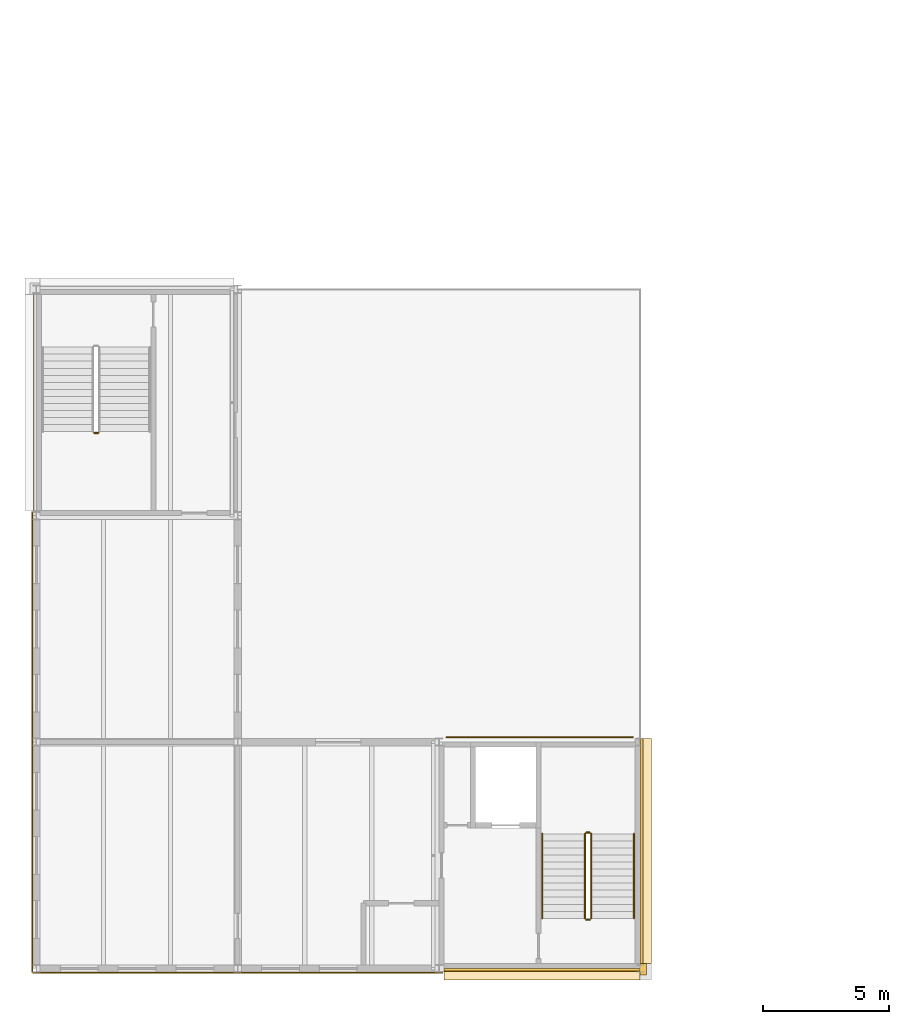
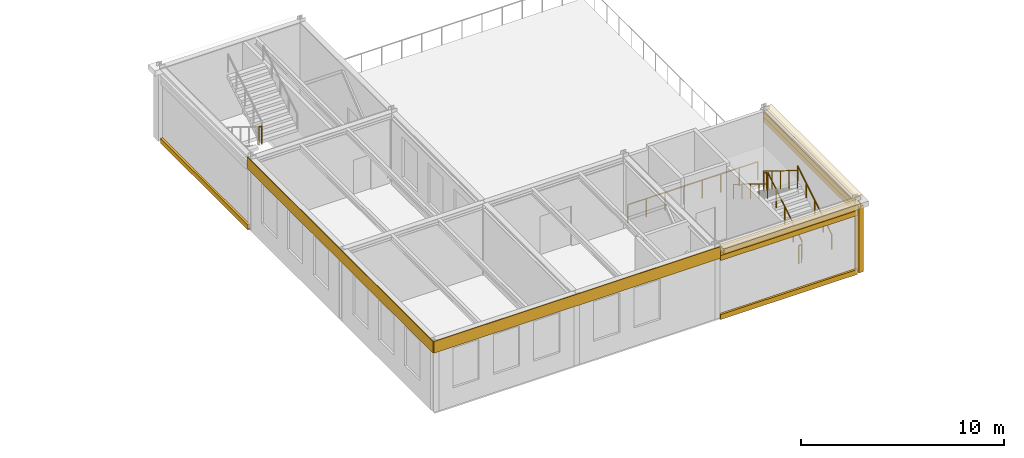
# One storey, part 127 of 149: 11 coverings, 8 railings.
"""IFC4 building model written with IfcOpenShell, lengths in metres."""

from ifc_helpers import new_model, si_unit, direction, frame, origin, origin_2d, place, context, subcontext, project, spatial, rectangle, circle, extrude, material, layer, layer_set, type_object, element, save


model = new_model("IFC4")

# Units and contexts
model_context = context("Model", 3, precision=1e-05, world=origin(), true_north=direction((0.0, 1.0)))
body_context = subcontext(model_context, "Body", "Model", "MODEL_VIEW")
ifc_project = project(units=[si_unit("LENGTHUNIT", "METRE"), si_unit("AREAUNIT", "SQUARE_METRE"), si_unit("VOLUMEUNIT", "CUBIC_METRE"), si_unit("PLANEANGLEUNIT", "RADIAN"), si_unit("MASSUNIT", "GRAM", prefix="KILO")], contexts=[model_context])

# Site, building, storey
site_placement = place(None, origin())
site = spatial("IfcSite", under=ifc_project, at=site_placement, CompositionType="ELEMENT")
building_placement = place(site_placement, origin())
building = spatial("IfcBuilding", under=site, at=building_placement, Name="Kallimachos Central Library", CompositionType="ELEMENT")
storey_placement = place(building_placement, frame((0.0, 0.0, 9.89990234375)))
storey = spatial("IfcBuildingStorey", under=building, at=storey_placement, Name="L02", CompositionType="ELEMENT", Elevation=9.89990234375)

# Coverings
ifc_material_1 = material(Name="Polychrome glazed ceramic tile")
ifc_layer_1 = layer(ifc_material_1, 0.0400390625)
ifc_layer_set_1 = layer_set([ifc_layer_1], Name="Ceramic frieze band")
covering_type_1 = type_object("IfcCoveringType", Name="Ceramic frieze band", PredefinedType="CLADDING", material=ifc_layer_set_1)
covering_1_placement = place(storey_placement, frame((14.0, 8.830078125, 3.60009765625), z_axis=(0.0, 0.0, 1.0), x_axis=(1.0, 0.0, 0.0)))
element("IfcCovering", 1, at=covering_1_placement, inside=storey, type_object=covering_type_1, Name="Frieze south", PredefinedType="CLADDING", context=body_context, shape_type="SweptSolid", body=[
    extrude(rectangle(XDim=16.300048828125, YDim=0.0400390625, at=origin_2d()), origin(), (0.0, 0.0, 1.0), 0.699951171875),
])
covering_2_placement = place(storey_placement, frame((5.830078125, 18.0, 3.60009765625), z_axis=(0.0, 0.0, 1.0), x_axis=(1.0, 0.0, 0.0)))
element("IfcCovering", 2, at=covering_2_placement, inside=storey, type_object=covering_type_1, Name="Frieze west", PredefinedType="CLADDING", context=body_context, shape_type="SweptSolid", body=[
    extrude(rectangle(XDim=0.0400390625, YDim=18.300048828125, at=origin_2d()), origin(), (0.0, 0.0, 1.0), 0.699951171875),
])
ifc_material_2 = material(Name="Glazed ceramic frieze, green")
ifc_layer_2 = layer(ifc_material_2, 0.10009765625)
ifc_layer_set_2 = layer_set([ifc_layer_2], Name="Glazed ceramic frieze, green")
covering_type_2 = type_object("IfcCoveringType", Name="Glazed ceramic frieze, green", PredefinedType="CLADDING", material=ifc_layer_set_2)
covering_3_placement = place(storey_placement, frame((26.094970703125, 8.949951171875, 3.68017578125), z_axis=(0.0, 0.0, 1.0), x_axis=(1.0, 0.0, 0.0)))
element("IfcCovering", 3, at=covering_3_placement, inside=storey, type_object=covering_type_2, Name="Glazed ceramic frieze, green -L02-011", PredefinedType="CLADDING", context=body_context, shape_type="SweptSolid", body=[
    extrude(rectangle(XDim=7.7900390625, YDim=0.10009765625, at=origin_2d()), origin(), (0.0, 0.0, 1.0), 0.300048828125),
])
covering_4_placement = place(storey_placement, frame((30.050048828125, 13.675048828125, 3.68017578125), z_axis=(0.0, 0.0, 1.0), x_axis=(1.0, 0.0, 0.0)))
element("IfcCovering", 4, at=covering_4_placement, inside=storey, type_object=covering_type_2, Name="Glazed ceramic frieze, green -L02-012", PredefinedType="CLADDING", context=body_context, shape_type="SweptSolid", body=[
    extrude(rectangle(XDim=0.10009765625, YDim=8.949951171875, at=origin_2d()), origin(), (0.0, 0.0, 1.0), 0.300048828125),
])
ifc_material_3 = material(Name="Glazed ceramic frieze, ochre")
ifc_layer_3 = layer(ifc_material_3, 0.10009765625)
ifc_layer_set_3 = layer_set([ifc_layer_3], Name="Glazed ceramic frieze, ochre")
covering_type_3 = type_object("IfcCoveringType", Name="Glazed ceramic frieze, ochre", PredefinedType="CLADDING", material=ifc_layer_set_3)
covering_5_placement = place(storey_placement, frame((26.094970703125, 8.949951171875, 3.3798828125), z_axis=(0.0, 0.0, 1.0), x_axis=(1.0, 0.0, 0.0)))
element("IfcCovering", 5, at=covering_5_placement, inside=storey, type_object=covering_type_3, Name="Glazed ceramic frieze, ochre -L02-011", PredefinedType="CLADDING", context=body_context, shape_type="SweptSolid", body=[
    extrude(rectangle(XDim=7.7900390625, YDim=0.10009765625, at=origin_2d()), origin(), (0.0, 0.0, 1.0), 0.300048828125),
])
covering_6_placement = place(storey_placement, frame((30.050048828125, 13.675048828125, 3.3798828125), z_axis=(0.0, 0.0, 1.0), x_axis=(1.0, 0.0, 0.0)))
element("IfcCovering", 6, at=covering_6_placement, inside=storey, type_object=covering_type_3, Name="Glazed ceramic frieze, ochre -L02-012", PredefinedType="CLADDING", context=body_context, shape_type="SweptSolid", body=[
    extrude(rectangle(XDim=0.10009765625, YDim=8.949951171875, at=origin_2d()), origin(), (0.0, 0.0, 1.0), 0.300048828125),
])

# Railings
ifc_material_4 = material(Name="Wrought iron")
railing_type_1 = type_object("IfcRailingType", Name="Stair guard", PredefinedType="GUARDRAIL", material=ifc_material_4)
railing_1_placement = place(storey_placement, frame((28.050048828125, 11.0, 0.173095703125)))
element("IfcRailing", 7, at=railing_1_placement, inside=storey, type_object=railing_type_1, Name="L02 ST17 stair guard 1", PredefinedType="GUARDRAIL", context=body_context, shape_type="SweptSolid", body=[
    extrude(circle(Radius=0.02392578125, at=origin_2d()), frame((0.0, 0.0, 1.076171875), z_axis=(0.0, 0.850623216509, 0.525775754039), x_axis=(-1.0, 0.0, 0.0)), (0.0, 0.0, 1.0), 3.9501953125),
    extrude(circle(Radius=0.02099609375, at=origin_2d()), origin(), (0.0, 0.0, 1.0), 1.052001953125),
    extrude(circle(Radius=0.02099609375, at=origin_2d()), frame((0.0, 0.840087890625, 0.519287109375)), (0.0, 0.0, 1.0), 1.052001953125),
    extrude(circle(Radius=0.02099609375, at=origin_2d()), frame((0.0, 1.68017578125, 1.03857421875)), (0.0, 0.0, 1.0), 1.052001953125),
    extrude(circle(Radius=0.02099609375, at=origin_2d()), frame((0.0, 2.52001953125, 1.5576171875)), (0.0, 0.0, 1.0), 1.052001953125),
    extrude(circle(Radius=0.02099609375, at=origin_2d()), frame((0.0, 3.360107421875, 2.076904296875)), (0.0, 0.0, 1.0), 1.052001953125),
])
railing_2_placement = place(storey_placement, frame((28.0, 14.409912109375, 2.25)))
element("IfcRailing", 8, at=railing_2_placement, inside=storey, type_object=railing_type_1, Name="L02 ST17 stair guard 2", PredefinedType="GUARDRAIL", context=body_context, shape_type="SweptSolid", body=[
    extrude(circle(Radius=0.02392578125, at=origin_2d()), frame((0.0, 0.0, 1.076171875), z_axis=(-1.0, 0.0, 0.0), x_axis=(0.0, -1.0, 0.0)), (0.0, 0.0, 1.0), 0.14990234375),
    extrude(circle(Radius=0.02099609375, at=origin_2d()), origin(), (0.0, 0.0, 1.0), 1.052001953125),
    extrude(circle(Radius=0.02099609375, at=origin_2d()), frame((-0.14990234375, 0.0, 0.0)), (0.0, 0.0, 1.0), 1.052001953125),
])
railing_3_placement = place(storey_placement, frame((27.800048828125, 14.360107421875, 2.423095703125)))
element("IfcRailing", 9, at=railing_3_placement, inside=storey, type_object=railing_type_1, Name="L02 ST17 stair guard 3", PredefinedType="GUARDRAIL", context=body_context, shape_type="SweptSolid", body=[
    extrude(circle(Radius=0.02392578125, at=origin_2d()), frame((0.0, 0.0, 1.076171875), z_axis=(0.0, -0.850623216509, 0.525775754039), x_axis=(1.0, 0.0, 0.0)), (0.0, 0.0, 1.0), 3.9501953125),
    extrude(circle(Radius=0.02099609375, at=origin_2d()), origin(), (0.0, 0.0, 1.0), 1.052001953125),
    extrude(circle(Radius=0.02099609375, at=origin_2d()), frame((0.0, -0.840087890625, 0.519287109375)), (0.0, 0.0, 1.0), 1.052001953125),
    extrude(circle(Radius=0.02099609375, at=origin_2d()), frame((0.0, -1.68017578125, 1.03857421875)), (0.0, 0.0, 1.0), 1.052001953125),
    extrude(circle(Radius=0.02099609375, at=origin_2d()), frame((0.0, -2.52001953125, 1.5576171875)), (0.0, 0.0, 1.0), 1.052001953125),
    extrude(circle(Radius=0.02099609375, at=origin_2d()), frame((0.0, -3.360107421875, 2.076904296875)), (0.0, 0.0, 1.0), 1.052001953125),
])
railing_4_placement = place(storey_placement, frame((28.0, 10.949951171875, 0.0)))
element("IfcRailing", 10, at=railing_4_placement, inside=storey, type_object=railing_type_1, Name="L02 ST17 stair guard 4", PredefinedType="GUARDRAIL", context=body_context, shape_type="SweptSolid", body=[
    extrude(circle(Radius=0.02392578125, at=origin_2d()), frame((0.0, 0.0, 1.076171875), z_axis=(-1.0, 0.0, 0.0), x_axis=(0.0, -1.0, 0.0)), (0.0, 0.0, 1.0), 0.14990234375),
    extrude(circle(Radius=0.02099609375, at=origin_2d()), origin(), (0.0, 0.0, 1.0), 1.052001953125),
    extrude(circle(Radius=0.02099609375, at=origin_2d()), frame((-0.14990234375, 0.0, 0.0)), (0.0, 0.0, 1.0), 1.052001953125),
])
railing_5_placement = place(storey_placement, frame((8.300048828125, 30.2900390625, 2.25)))
element("IfcRailing", 11, at=railing_5_placement, inside=storey, type_object=railing_type_1, Name="L02 ST18 stair guard 2", PredefinedType="GUARDRAIL", context=body_context, shape_type="SweptSolid", body=[
    extrude(circle(Radius=0.02392578125, at=origin_2d()), frame((0.0, 0.0, 1.076171875), z_axis=(1.0, 0.0, 0.0), x_axis=(0.0, 1.0, 0.0)), (0.0, 0.0, 1.0), 0.14990234375),
    extrude(circle(Radius=0.02099609375, at=origin_2d()), origin(), (0.0, 0.0, 1.0), 1.052001953125),
    extrude(circle(Radius=0.02099609375, at=origin_2d()), frame((0.14990234375, 0.0, 0.0)), (0.0, 0.0, 1.0), 1.052001953125),
])
ifc_material_5 = material(Name="Wrought iron")
railing_type_2 = type_object("IfcRailingType", Name="Stair handrail", PredefinedType="HANDRAIL", material=ifc_material_5)
railing_6_placement = place(storey_placement, frame((29.75, 11.0, 0.173095703125)))
element("IfcRailing", 12, at=railing_6_placement, inside=storey, type_object=railing_type_2, Name="L02 ST17 stair handrail 1", PredefinedType="HANDRAIL", context=body_context, shape_type="SweptSolid", body=[
    extrude(circle(Radius=0.02392578125, at=origin_2d()), frame((0.0, 0.0, 0.8759765625), z_axis=(0.0, 0.850623216509, 0.525775754039), x_axis=(-1.0, 0.0, 0.0)), (0.0, 0.0, 1.0), 3.9501953125),
    extrude(circle(Radius=0.02099609375, at=origin_2d()), origin(), (0.0, 0.0, 1.0), 0.851806640625),
    extrude(circle(Radius=0.02099609375, at=origin_2d()), frame((0.0, 0.840087890625, 0.519287109375)), (0.0, 0.0, 1.0), 0.851806640625),
    extrude(circle(Radius=0.02099609375, at=origin_2d()), frame((0.0, 1.68017578125, 1.03857421875)), (0.0, 0.0, 1.0), 0.851806640625),
    extrude(circle(Radius=0.02099609375, at=origin_2d()), frame((0.0, 2.52001953125, 1.5576171875)), (0.0, 0.0, 1.0), 0.851806640625),
    extrude(circle(Radius=0.02099609375, at=origin_2d()), frame((0.0, 3.360107421875, 2.076904296875)), (0.0, 0.0, 1.0), 0.851806640625),
])
railing_7_placement = place(storey_placement, frame((26.10009765625, 14.360107421875, 2.423095703125)))
element("IfcRailing", 13, at=railing_7_placement, inside=storey, type_object=railing_type_2, Name="L02 ST17 stair handrail 2", PredefinedType="HANDRAIL", context=body_context, shape_type="SweptSolid", body=[
    extrude(circle(Radius=0.02392578125, at=origin_2d()), frame((0.0, 0.0, 0.8759765625), z_axis=(0.0, -0.850623216509, 0.525775754039), x_axis=(1.0, 0.0, 0.0)), (0.0, 0.0, 1.0), 3.9501953125),
    extrude(circle(Radius=0.02099609375, at=origin_2d()), origin(), (0.0, 0.0, 1.0), 0.851806640625),
    extrude(circle(Radius=0.02099609375, at=origin_2d()), frame((0.0, -0.840087890625, 0.519287109375)), (0.0, 0.0, 1.0), 0.851806640625),
    extrude(circle(Radius=0.02099609375, at=origin_2d()), frame((0.0, -1.68017578125, 1.03857421875)), (0.0, 0.0, 1.0), 0.851806640625),
    extrude(circle(Radius=0.02099609375, at=origin_2d()), frame((0.0, -2.52001953125, 1.5576171875)), (0.0, 0.0, 1.0), 0.851806640625),
    extrude(circle(Radius=0.02099609375, at=origin_2d()), frame((0.0, -3.360107421875, 2.076904296875)), (0.0, 0.0, 1.0), 0.851806640625),
])

# Coverings
ifc_material_6 = material(Name="Pentelic marble attic moulding", Category="masonry")
ifc_layer_4 = layer(ifc_material_6, 0.1201171875)
ifc_layer_set_4 = layer_set([ifc_layer_4], Name="Stone attic moulding 300")
covering_type_4 = type_object("IfcCoveringType", Name="Stone attic moulding 300", PredefinedType="MOLDING", material=ifc_layer_set_4)
covering_7_placement = place(storey_placement, frame((26.094970703125, 8.93994140625, -0.14990234375), z_axis=(0.0, 0.0, 1.0), x_axis=(1.0, 0.0, 0.0)))
element("IfcCovering", 14, at=covering_7_placement, inside=storey, type_object=covering_type_4, Name="Stone attic moulding 300 -L02-011", PredefinedType="MOLDING", context=body_context, shape_type="SweptSolid", body=[
    extrude(rectangle(XDim=7.7900390625, YDim=0.1201171875, at=origin_2d()), origin(), (0.0, 0.0, 1.0), 0.300048828125),
])
covering_8_placement = place(storey_placement, frame((5.93994140625, 31.5, -0.14990234375), z_axis=(0.0, 0.0, 1.0), x_axis=(1.0, 0.0, 0.0)))
element("IfcCovering", 15, at=covering_8_placement, inside=storey, type_object=covering_type_4, Name="Stone attic moulding 300 -L02-019", PredefinedType="MOLDING", context=body_context, shape_type="SweptSolid", body=[
    extrude(rectangle(XDim=0.1201171875, YDim=8.60009765625, at=origin_2d()), origin(), (0.0, 0.0, 1.0), 0.300048828125),
])
ifc_material_7 = material(Name="Pentelic marble cornice", Category="masonry")
ifc_layer_5 = layer(ifc_material_7, 0.449951171875)
ifc_layer_set_5 = layer_set([ifc_layer_5], Name="Stone cornice 450")
covering_type_5 = type_object("IfcCoveringType", Name="Stone cornice 450", PredefinedType="MOLDING", material=ifc_layer_set_5)
covering_9_placement = place(storey_placement, frame((26.094970703125, 8.77490234375, 4.0), z_axis=(0.0, 0.0, 1.0), x_axis=(1.0, 0.0, 0.0)))
element("IfcCovering", 16, at=covering_9_placement, inside=storey, type_object=covering_type_5, Name="Stone cornice 450 -L02-011", PredefinedType="MOLDING", context=body_context, shape_type="SweptSolid", body=[
    extrude(rectangle(XDim=7.7900390625, YDim=0.449951171875, at=origin_2d()), origin(), (0.0, 0.0, 1.0), 0.300048828125),
])
covering_10_placement = place(storey_placement, frame((30.22509765625, 13.675048828125, 4.0), z_axis=(0.0, 0.0, 1.0), x_axis=(1.0, 0.0, 0.0)))
element("IfcCovering", 17, at=covering_10_placement, inside=storey, type_object=covering_type_5, Name="Stone cornice 450 -L02-012", PredefinedType="MOLDING", context=body_context, shape_type="SweptSolid", body=[
    extrude(rectangle(XDim=0.449951171875, YDim=8.949951171875, at=origin_2d()), origin(), (0.0, 0.0, 1.0), 0.300048828125),
])
ifc_material_8 = material(Name="Pentelic marble pilaster", Category="masonry")
ifc_layer_6 = layer(ifc_material_8, 0.25)
ifc_layer_set_6 = layer_set([ifc_layer_6], Name="Stone pilaster 250")
covering_type_6 = type_object("IfcCoveringType", Name="Stone pilaster 250", PredefinedType="CLADDING", material=ifc_layer_set_6)
covering_11_placement = place(storey_placement, frame((30.1201171875, 8.97509765625, 0.0), z_axis=(0.0, 0.0, 1.0), x_axis=(1.0, 0.0, 0.0)))
element("IfcCovering", 18, at=covering_11_placement, inside=storey, type_object=covering_type_6, Name="Stone pilaster 250 corner", PredefinedType="CLADDING", context=body_context, shape_type="SweptSolid", body=[
    extrude(rectangle(XDim=0.260009765625, YDim=0.449951171875, at=origin_2d()), origin(), (0.0, 0.0, 1.0), 4.0),
])

# Railing
ifc_material_9 = material(Name="Steel S355J2", Category="steel")
railing_type_3 = type_object("IfcRailingType", Name="Wrought-iron guard 1100", PredefinedType="GUARDRAIL", material=ifc_material_9)
railing_8_placement = place(storey_placement, frame((22.300048828125, 18.199951171875, 0.0)))
element("IfcRailing", 19, at=railing_8_placement, inside=storey, type_object=railing_type_3, Name="Garden guard south", PredefinedType="GUARDRAIL", context=body_context, shape_type="SweptSolid", body=[
    extrude(circle(Radius=0.02392578125, at=origin_2d()), frame((0.0, 0.0, 1.076171875), z_axis=(1.0, 0.0, 0.0), x_axis=(0.0, 1.0, 0.0)), (0.0, 0.0, 1.0), 7.39990234375),
    extrude(circle(Radius=0.02099609375, at=origin_2d()), origin(), (0.0, 0.0, 1.0), 1.052001953125),
    extrude(circle(Radius=0.02099609375, at=origin_2d()), frame((1.05712890625, 0.0, 0.0)), (0.0, 0.0, 1.0), 1.052001953125),
    extrude(circle(Radius=0.02099609375, at=origin_2d()), frame((2.1142578125, 0.0, 0.0)), (0.0, 0.0, 1.0), 1.052001953125),
    extrude(circle(Radius=0.02099609375, at=origin_2d()), frame((3.17138671875, 0.0, 0.0)), (0.0, 0.0, 1.0), 1.052001953125),
    extrude(circle(Radius=0.02099609375, at=origin_2d()), frame((4.228515625, 0.0, 0.0)), (0.0, 0.0, 1.0), 1.052001953125),
    extrude(circle(Radius=0.02099609375, at=origin_2d()), frame((5.28564453125, 0.0, 0.0)), (0.0, 0.0, 1.0), 1.052001953125),
    extrude(circle(Radius=0.02099609375, at=origin_2d()), frame((6.3427734375, 0.0, 0.0)), (0.0, 0.0, 1.0), 1.052001953125),
    extrude(circle(Radius=0.02099609375, at=origin_2d()), frame((7.39990234375, 0.0, 0.0)), (0.0, 0.0, 1.0), 1.052001953125),
])

save(model, "model.ifc")
